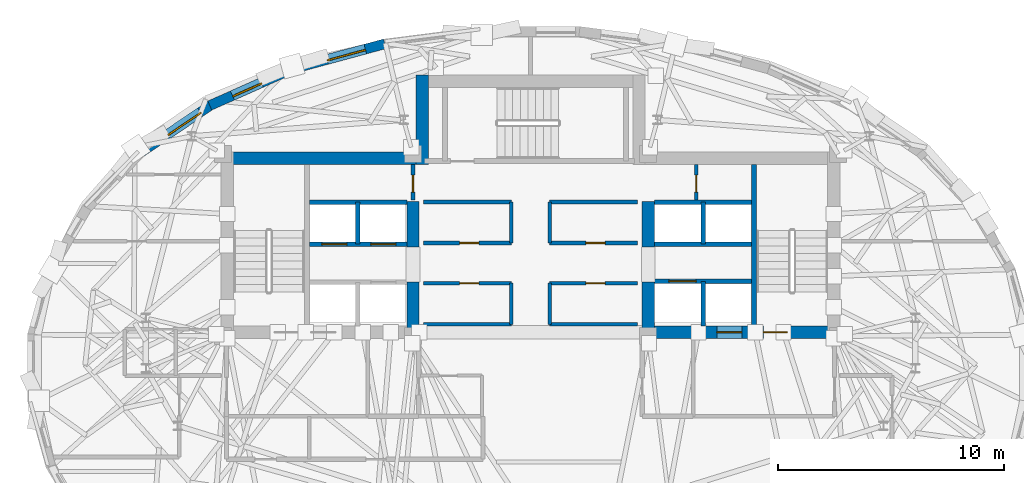
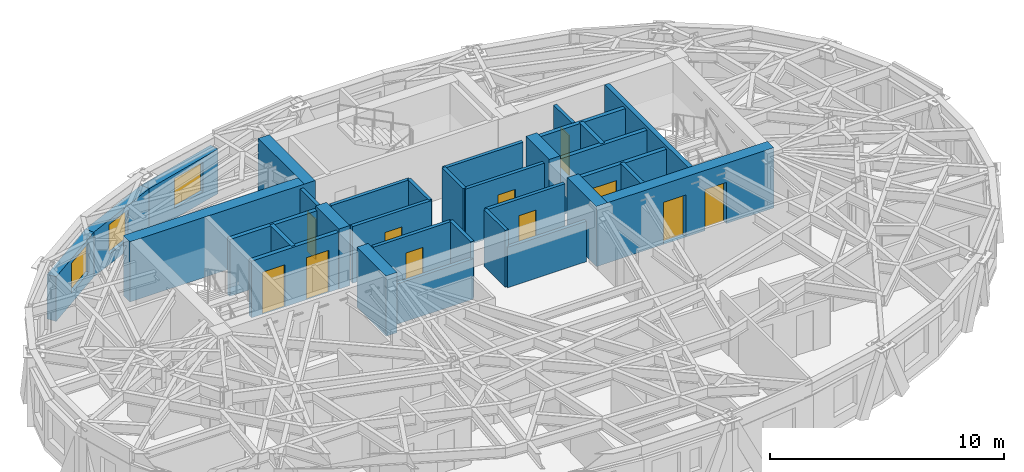
# One storey, part 8 of 13: 33 walls, 11 doors, 3 windows, 14 openings.
"""IFC4 building model written with IfcOpenShell, lengths in metres."""

import ifcopenshell
import ifcopenshell.guid

model = None  # the IFC model being written
_history = None  # IfcOwnerHistory: only IFC2X3 demands one
_inside = {}  # id of a spatial element -> (the spatial element, [elements in it])
_under = {}  # id of a project, library or spatial element -> (it, [spatial elements below it])
_declared = {}  # id of a project -> (the project, [libraries it declares])
_typed = {}  # id of a type object -> (the type object, [elements of that type])
_made_of = {}  # id of a material, layer set ... -> (it, [elements and type objects made of it])


def new_model(schema):
    """Start an empty IFC model of exactly this schema.

    Asked for "IFC4X3", IfcOpenShell would pick the latest addendum, in which some entities
    have other attributes; the version numbers below select the first issue.
    IFC2X3 requires an IfcOwnerHistory on every rooted entity: one is made here for all.
    """
    global model, _history
    if schema == "IFC4X3":
        model = ifcopenshell.file(schema_version=(4, 3, 0, 0))
    else:
        model = ifcopenshell.file(schema=schema)
    _inside.clear()
    _under.clear()
    _declared.clear()
    _typed.clear()
    _made_of.clear()
    _history = None
    if model.schema == "IFC2X3":
        org = make("IfcOrganization", Name="unknown")
        user = make(
            "IfcPersonAndOrganization",
            ThePerson=make("IfcPerson", FamilyName="unknown"),
            TheOrganization=org,
        )
        app = make(
            "IfcApplication",
            ApplicationDeveloper=org,
            Version="unknown",
            ApplicationFullName="unknown",
            ApplicationIdentifier="unknown",
        )
        _history = make(
            "IfcOwnerHistory",
            OwningUser=user,
            OwningApplication=app,
            ChangeAction="ADDED",
            CreationDate=0,
        )
    return model


def make(cls, **values):
    """One entity of the class cls with the attributes given. An attribute that is None is left unset."""
    return model.create_entity(
        cls, **{name: value for name, value in values.items() if value is not None}
    )


def rooted(cls, **values):
    """An entity with a GlobalId (a new one), such as an element, a storey or a relation."""
    return make(cls, GlobalId=ifcopenshell.guid.new(), OwnerHistory=_history, **values)


def si_unit(unit_type, name, prefix=None):
    """IfcSIUnit, for example si_unit("LENGTHUNIT", "METRE", prefix="MILLI")."""
    return make("IfcSIUnit", UnitType=unit_type, Prefix=prefix, Name=name)


def assignment(units):
    """IfcUnitAssignment: the units of a project."""
    return None if units is None else make("IfcUnitAssignment", Units=units)


def point(xyz):
    """IfcCartesianPoint."""
    return None if xyz is None else make("IfcCartesianPoint", Coordinates=xyz)


def direction(xyz):
    """IfcDirection."""
    return None if xyz is None else make("IfcDirection", DirectionRatios=xyz)


def frame(location, z_axis=None, x_axis=None):
    """IfcAxis2Placement3D, a coordinate frame: its origin and axes. An axis left out is left unset."""
    return make(
        "IfcAxis2Placement3D",
        Location=point(location),
        Axis=direction(z_axis),
        RefDirection=direction(x_axis),
    )


def frame_2d(location, x_axis=None):
    """IfcAxis2Placement2D, a coordinate frame in the plane: its origin and x axis."""
    return make(
        "IfcAxis2Placement2D", Location=point(location), RefDirection=direction(x_axis)
    )


def origin():
    """The frame at (0, 0, 0) with its axes left unset."""
    return frame((0.0, 0.0, 0.0))


def place(relative_to, where):
    """IfcLocalPlacement: puts the frame where relative to a parent placement (None: the world)."""
    return make(
        "IfcLocalPlacement", PlacementRelTo=relative_to, RelativePlacement=where
    )


def context(
    kind, dimensions, precision=None, world=None, true_north=None, identifier=None
):
    """IfcGeometricRepresentationContext, for example the 3D "Model" context."""
    return make(
        "IfcGeometricRepresentationContext",
        ContextIdentifier=identifier,
        ContextType=kind,
        CoordinateSpaceDimension=dimensions,
        Precision=precision,
        WorldCoordinateSystem=world,
        TrueNorth=true_north,
    )


def subcontext(parent, identifier, kind, view, scale=None):
    """IfcGeometricRepresentationSubContext, for example "Body" below "Model"."""
    return make(
        "IfcGeometricRepresentationSubContext",
        ContextIdentifier=identifier,
        ContextType=kind,
        ParentContext=parent,
        TargetScale=scale,
        TargetView=view,
    )


def project(units=None, contexts=None):
    """IfcProject with its units and contexts."""
    return rooted(
        "IfcProject",
        Name="project",
        RepresentationContexts=contexts,
        UnitsInContext=assignment(units),
    )


def spatial(cls, under=None, at=None, **own):
    """A site, building, storey or space (cls), placed at a placement, below another one or the project."""
    s = rooted(cls, ObjectPlacement=at, **own)
    if under is not None:
        _under.setdefault(under.id(), (under, []))[1].append(s)
    return s


def profile(cls, at=None, kind="AREA", **sizes):
    """A parametric profile (cls). Its sizes go by their IFC names, for example OverallWidth=200.0."""
    return make(cls, ProfileType=kind, Position=at, **sizes)


def rectangle(**sizes):
    """IfcRectangleProfileDef."""
    return profile("IfcRectangleProfileDef", **sizes)


def extrude(swept, where, along, depth):
    """IfcExtrudedAreaSolid: the profile swept, set in the frame where, extruded along a direction by depth."""
    return make(
        "IfcExtrudedAreaSolid",
        SweptArea=swept,
        Position=where,
        ExtrudedDirection=direction(along),
        Depth=depth,
    )


def shape(context_of_items, identifier, shape_type, items):
    """IfcShapeRepresentation: the items that make up one representation, for example the "Body"."""
    return make(
        "IfcShapeRepresentation",
        ContextOfItems=context_of_items,
        RepresentationIdentifier=identifier,
        RepresentationType=shape_type,
        Items=items,
    )


def material(Name=None, Category=None):
    """IfcMaterial."""
    return make("IfcMaterial", Name=Name, Category=Category)


def layer(
    of_material, thickness, ventilated=None, Name=None, Category=None, Priority=None
):
    """IfcMaterialLayer: one layer of a wall or slab, of a material (None: an air gap)."""
    return make(
        "IfcMaterialLayer",
        Material=of_material,
        LayerThickness=thickness,
        IsVentilated=ventilated,
        Name=Name,
        Category=Category,
        Priority=Priority,
    )


def layer_set(layers, Name=None):
    """IfcMaterialLayerSet."""
    return make("IfcMaterialLayerSet", MaterialLayers=layers, LayerSetName=Name)


def made_of(thing, what):
    """Note that an element or type object is made of a material, layer set ...; save() writes the relation."""
    if what is not None:
        _made_of.setdefault(what.id(), (what, []))[1].append(thing)
    return thing


def type_object(cls, material=None, **own):
    """A type object (cls), such as IfcWallType, which elements share."""
    return made_of(rooted(cls, **own), material)


def element(
    cls,
    number,
    at=None,
    inside=None,
    cuts=None,
    type_object=None,
    material=None,
    context=None,
    identifier="Body",
    shape_type=None,
    held_by="IfcProductDefinitionShape",
    body=None,
    shapes=None,
    **own,
):
    """One element of the class cls, such as IfcWall. Its Tag is "e" and its number.

    at: its placement. inside: the storey or other place that contains it. cuts: it is an
    opening in that element (IfcRelVoidsElement). A single representation is given by context,
    identifier, shape_type and body (its items); several are given by shapes. held_by: the class
    of the entity that holds the representations. save() writes the other relations.
    """
    e = rooted(cls, Tag="e%d" % number, ObjectPlacement=at, **own)
    if body is not None:
        shapes = [shape(context, identifier, shape_type, body)]
    if shapes is not None:
        e.Representation = make(held_by, Representations=shapes)
    if inside is not None:
        _inside.setdefault(inside.id(), (inside, []))[1].append(e)
    if cuts is not None:
        rooted(
            "IfcRelVoidsElement", RelatingBuildingElement=cuts, RelatedOpeningElement=e
        )
    if type_object is not None:
        _typed.setdefault(type_object.id(), (type_object, []))[1].append(e)
    return made_of(e, material)


def fill(opening, filler):
    """IfcRelFillsElement: the door or window that sits in an opening."""
    return rooted(
        "IfcRelFillsElement",
        RelatingOpeningElement=opening,
        RelatedBuildingElement=filler,
    )


def aggregate(whole, parts):
    """IfcRelAggregates: a whole, such as a stair, and the parts it consists of."""
    return rooted("IfcRelAggregates", RelatingObject=whole, RelatedObjects=parts)


def save(model, path):
    """Write the relations noted so far, then the file.

    IfcRelAggregates (storeys below a building ...), IfcRelContainedInSpatialStructure (elements
    in a storey), IfcRelDefinesByType, IfcRelAssociatesMaterial and IfcRelDeclares: one each for
    every whole, place, type object, material and project.
    """
    for whole, parts in _under.values():
        aggregate(whole, parts)
    for where, things in _inside.values():
        rooted(
            "IfcRelContainedInSpatialStructure",
            RelatedElements=things,
            RelatingStructure=where,
        )
    for kind, things in _typed.values():
        rooted("IfcRelDefinesByType", RelatedObjects=things, RelatingType=kind)
    for what, things in _made_of.values():
        rooted("IfcRelAssociatesMaterial", RelatedObjects=things, RelatingMaterial=what)
    for by, libraries in _declared.values():
        rooted("IfcRelDeclares", RelatingContext=by, RelatedDefinitions=libraries)
    model.write(path)


model = new_model("IFC4")

# Units and contexts
model_context = context("Model", 3, precision=1e-05, world=origin(), true_north=direction((0.0, 1.0)))
body_context = subcontext(model_context, "Body", "Model", "MODEL_VIEW")
ifc_project = project(units=[si_unit("LENGTHUNIT", "METRE"), si_unit("AREAUNIT", "SQUARE_METRE"), si_unit("VOLUMEUNIT", "CUBIC_METRE"), si_unit("PLANEANGLEUNIT", "RADIAN"), si_unit("MASSUNIT", "GRAM", prefix="KILO")], contexts=[model_context])

# Site, building, storey
site_placement = place(None, origin())
site = spatial("IfcSite", under=ifc_project, at=site_placement, CompositionType="ELEMENT")
building_placement = place(site_placement, origin())
building = spatial("IfcBuilding", under=site, at=building_placement, Name="Keldmark Tower", CompositionType="ELEMENT")
storey_placement = place(building_placement, frame((0.0, 0.0, 232.050048828125)))
storey = spatial("IfcBuildingStorey", under=building, at=storey_placement, Name="L65", CompositionType="ELEMENT", Elevation=232.050048828125)

# Walls
ifc_material_1 = material(Name="Concrete C50/60", Category="concrete")
ifc_layer_1 = layer(ifc_material_1, 0.550048828125)
ifc_layer_set_1 = layer_set([ifc_layer_1], Name="Concrete C50/60")
wall_type_1 = type_object("IfcWallType", Name="High-Rise Core Shear Wall 550 mm", PredefinedType="SHEAR", material=ifc_layer_set_1)
wall_1_placement = place(storey_placement, frame((-13.699951171875, 9.27490234375, 0.0), z_axis=(0.0, 0.0, 1.0), x_axis=(1.0, 0.0, 0.0)))
element("IfcWall", 1, at=wall_1_placement, inside=storey, type_object=wall_type_1, Name="L65 West Core North Shear Wall", PredefinedType="SHEAR", context=body_context, shape_type="SweptSolid", body=[
    extrude(rectangle(XDim=9.175048828125, YDim=0.550048828125, at=frame_2d((4.58740234375, 0.0))), origin(), (0.0, 0.0, 1.0), 3.14990234375),
])
wall_2_placement = place(storey_placement, frame((-5.199951171875, 1.300048828125, 0.0), z_axis=(0.0, 0.0, 1.0), x_axis=(0.0, 1.0, 0.0)))
element("IfcWall", 2, at=wall_2_placement, inside=storey, type_object=wall_type_1, Name="L65 West Core Inner Shear Pier South", PredefinedType="SHEAR", context=body_context, shape_type="SweptSolid", body=[
    extrude(rectangle(XDim=2.5, YDim=0.550048828125, at=frame_2d((1.25, 0.0))), origin(), (0.0, 0.0, 1.0), 3.14990234375),
])
wall_3_placement = place(storey_placement, frame((-5.199951171875, 5.35009765625, 0.0), z_axis=(0.0, 0.0, 1.0), x_axis=(0.0, 1.0, 0.0)))
element("IfcWall", 3, at=wall_3_placement, inside=storey, type_object=wall_type_1, Name="L65 West Core Inner Shear Pier North", PredefinedType="SHEAR", context=body_context, shape_type="SweptSolid", body=[
    extrude(rectangle(XDim=2.0, YDim=0.550048828125, at=frame_2d((1.0, 0.0))), origin(), (0.0, 0.0, 1.0), 3.14990234375),
])

# Wall, openings, doors
wall_4_placement = place(storey_placement, frame((13.699951171875, 1.574951171875, 0.0), z_axis=(0.0, 0.0, 1.0), x_axis=(-1.0, 0.0, 0.0)))
wall_4 = element("IfcWall", 4, at=wall_4_placement, inside=storey, type_object=wall_type_1, Name="L65 East Core South Shear Wall", PredefinedType="SHEAR", context=body_context, shape_type="SweptSolid", body=[
    extrude(rectangle(XDim=8.77490234375, YDim=0.550048828125, at=frame_2d((4.387451171875, 0.0))), origin(), (0.0, 0.0, 1.0), 3.14990234375),
])
opening_1_placement = place(wall_4_placement, frame((2.35009765625, 0.0, 0.0)))
opening_1 = element("IfcOpeningElement", 5, at=opening_1_placement, cuts=wall_4, Name="Opening D-ST105", PredefinedType="OPENING", context=body_context, shape_type="SweptSolid", body=[
    extrude(rectangle(XDim=1.050048828125, YDim=2.14990234375, at=frame_2d((0.52490234375, 1.074951171875))), frame((0.0, 0.284912109375, 0.0), z_axis=(0.0, -1.0, 0.0), x_axis=(1.0, 0.0, 0.0)), (0.0, 0.0, 1.0), 0.570068359375),
])
opening_2_placement = place(wall_4_placement, frame((4.35009765625, 0.0, 0.0)))
opening_2 = element("IfcOpeningElement", 6, at=opening_2_placement, cuts=wall_4, Name="Opening LD-110", PredefinedType="OPENING", context=body_context, shape_type="SweptSolid", body=[
    extrude(rectangle(XDim=1.10009765625, YDim=2.199951171875, at=frame_2d((0.550048828125, 1.10009765625))), frame((0.0, 0.284912109375, 0.0), z_axis=(0.0, -1.0, 0.0), x_axis=(1.0, 0.0, 0.0)), (0.0, 0.0, 1.0), 0.570068359375),
])
ifc_material_2 = material(Name="Brushed Bronze Hoistway Sliding Leaf", Category="metal")
door_type_1 = type_object("IfcDoorType", Name="Lift Landing Sliding Door 1100x2200", OperationType="SLIDING_TO_LEFT", PredefinedType="DOOR", material=ifc_material_2)
door_1_placement = place(opening_2_placement, origin())
door_1 = element("IfcDoor", 7, at=door_1_placement, inside=storey, type_object=door_type_1, Name="L65 Lift Landing Sliding Door 1100x2200 LD-EL-FS2-L65", OperationType="SLIDING_TO_LEFT", OverallHeight=2.199951171875, OverallWidth=1.10009765625, PredefinedType="DOOR", context=body_context, shape_type="SweptSolid", body=[
    extrude(rectangle(XDim=1.10009765625, YDim=2.199951171875, at=frame_2d((0.550048828125, 1.10009765625))), frame((0.0, 0.02490234375, 0.0), z_axis=(0.0, -1.0, 0.0), x_axis=(1.0, 0.0, 0.0)), (0.0, 0.0, 1.0), 0.050048828125),
])
fill(opening_2, door_1)
ifc_material_3 = material(Name="Hollow Metal Fire-Rated Door Assembly", Category="metal")
door_type_2 = type_object("IfcDoorType", Name="Stair Fire Door 1050x2150", OperationType="NOTDEFINED", PredefinedType="DOOR", material=ifc_material_3)
door_2_placement = place(opening_1_placement, origin())
door_2 = element("IfcDoor", 8, at=door_2_placement, inside=storey, type_object=door_type_2, Name="L65 Stair Fire Door 1050x2150 D-ST2-L65", OperationType="SINGLE_SWING_LEFT", OverallHeight=2.14990234375, OverallWidth=1.050048828125, PredefinedType="DOOR", context=body_context, shape_type="SweptSolid", body=[
    extrude(rectangle(XDim=1.050048828125, YDim=2.14990234375, at=frame_2d((0.52490234375, 1.074951171875))), frame((0.0, 0.02490234375, 0.0), z_axis=(0.0, -1.0, 0.0), x_axis=(1.0, 0.0, 0.0)), (0.0, 0.0, 1.0), 0.050048828125),
])
fill(opening_1, door_2)

# Walls
wall_5_placement = place(storey_placement, frame((5.199951171875, 1.300048828125, 0.0), z_axis=(0.0, 0.0, 1.0), x_axis=(0.0, 1.0, 0.0)))
element("IfcWall", 9, at=wall_5_placement, inside=storey, type_object=wall_type_1, Name="L65 East Core Inner Shear Pier South", PredefinedType="SHEAR", context=body_context, shape_type="SweptSolid", body=[
    extrude(rectangle(XDim=2.5, YDim=0.550048828125, at=frame_2d((1.25, 0.0))), origin(), (0.0, 0.0, 1.0), 3.14990234375),
])
wall_6_placement = place(storey_placement, frame((5.199951171875, 5.35009765625, 0.0), z_axis=(0.0, 0.0, 1.0), x_axis=(0.0, 1.0, 0.0)))
element("IfcWall", 10, at=wall_6_placement, inside=storey, type_object=wall_type_1, Name="L65 East Core Inner Shear Pier North", PredefinedType="SHEAR", context=body_context, shape_type="SweptSolid", body=[
    extrude(rectangle(XDim=2.0, YDim=0.550048828125, at=frame_2d((1.0, 0.0))), origin(), (0.0, 0.0, 1.0), 3.14990234375),
])
wall_7_placement = place(storey_placement, frame((-4.800048828125, 9.0, 0.0), z_axis=(0.0, 0.0, 1.0), x_axis=(0.0, 1.0, 0.0)))
element("IfcWall", 11, at=wall_7_placement, inside=storey, type_object=wall_type_1, Name="L65 North Core West Shear Wall", PredefinedType="SHEAR", context=body_context, shape_type="SweptSolid", body=[
    extrude(rectangle(XDim=3.949951171875, YDim=0.550048828125, at=frame_2d((1.97509765625, 0.0))), origin(), (0.0, 0.0, 1.0), 3.14990234375),
])
ifc_material_4 = material(Name="Type X Fire-Rated Gypsum Partition Assembly", Category="gypsum")
ifc_layer_2 = layer(ifc_material_4, 0.1650390625)
ifc_layer_set_2 = layer_set([ifc_layer_2], Name="Type X Fire-Rated Gypsum Partition Assembly")
wall_type_2 = type_object("IfcWallType", Name="Rated Partition 165 mm", PredefinedType="PARTITIONING", material=ifc_layer_set_2)
wall_8_placement = place(storey_placement, frame((-4.739990234375, 1.919921875, 0.0), z_axis=(0.0, 0.0, 1.0), x_axis=(1.0, 0.0, 0.0)))
element("IfcWall", 12, at=wall_8_placement, inside=storey, type_object=wall_type_2, Name="L65 Rated Partition 165 mm REC-LW-S", PredefinedType="PARTITIONING", context=body_context, shape_type="SweptSolid", body=[
    extrude(rectangle(XDim=3.889892578125, YDim=0.1650390625, at=frame_2d((1.94482421875, 0.0))), origin(), (0.0, 0.0, 1.0), 2.10986328125),
])

# Wall, opening, door
wall_9_placement = place(storey_placement, frame((-4.739990234375, 3.739990234375, 0.0), z_axis=(0.0, 0.0, 1.0), x_axis=(1.0, 0.0, 0.0)))
wall_9 = element("IfcWall", 13, at=wall_9_placement, inside=storey, type_object=wall_type_2, Name="L65 Rated Partition 165 mm REC-LW-N", PredefinedType="PARTITIONING", context=body_context, shape_type="SweptSolid", body=[
    extrude(rectangle(XDim=3.889892578125, YDim=0.1650390625, at=frame_2d((1.94482421875, 0.0))), origin(), (0.0, 0.0, 1.0), 2.969970703125),
])
opening_3_placement = place(wall_9_placement, frame((1.60009765625, 0.0, 0.0)))
opening_3 = element("IfcOpeningElement", 14, at=opening_3_placement, cuts=wall_9, Name="Opening D-SV085", PredefinedType="OPENING", context=body_context, shape_type="SweptSolid", body=[
    extrude(rectangle(XDim=0.85009765625, YDim=2.10009765625, at=frame_2d((0.425048828125, 1.050048828125))), frame((0.0, 0.092529296875, 0.0), z_axis=(0.0, -1.0, 0.0), x_axis=(1.0, 0.0, 0.0)), (0.0, 0.0, 1.0), 0.18505859375),
])
ifc_material_5 = material(Name="Painted Hollow Metal Door Assembly", Category="metal")
door_type_3 = type_object("IfcDoorType", Name="Service Door 850x2100", OperationType="NOTDEFINED", PredefinedType="DOOR", material=ifc_material_5)
door_3_placement = place(opening_3_placement, origin())
door_3 = element("IfcDoor", 15, at=door_3_placement, inside=storey, type_object=door_type_3, Name="L65 Service Door 850x2100 D-RECLW1-L65", OperationType="SINGLE_SWING_RIGHT", OverallHeight=2.10009765625, OverallWidth=0.85009765625, PredefinedType="DOOR", context=body_context, shape_type="SweptSolid", body=[
    extrude(rectangle(XDim=0.85009765625, YDim=2.10009765625, at=frame_2d((0.425048828125, 1.050048828125))), frame((0.0, 0.02490234375, 0.0), z_axis=(0.0, -1.0, 0.0), x_axis=(1.0, 0.0, 0.0)), (0.0, 0.0, 1.0), 0.050048828125),
])
fill(opening_3, door_3)

# Walls
wall_10_placement = place(storey_placement, frame((-0.85009765625, 1.919921875, 0.0), z_axis=(0.0, 0.0, 1.0), x_axis=(0.0, 1.0, 0.0)))
element("IfcWall", 16, at=wall_10_placement, inside=storey, type_object=wall_type_2, Name="L65 Rated Partition 165 mm REC-LW-E", PredefinedType="PARTITIONING", context=body_context, shape_type="SweptSolid", body=[
    extrude(rectangle(XDim=1.820068359375, YDim=0.1650390625, at=frame_2d((0.91015625, 0.0))), origin(), (0.0, 0.0, 1.0), 2.969970703125),
])
wall_11_placement = place(storey_placement, frame((0.85009765625, 1.919921875, 0.0), z_axis=(0.0, 0.0, 1.0), x_axis=(1.0, 0.0, 0.0)))
element("IfcWall", 17, at=wall_11_placement, inside=storey, type_object=wall_type_2, Name="L65 Rated Partition 165 mm REC-LE-S", PredefinedType="PARTITIONING", context=body_context, shape_type="SweptSolid", body=[
    extrude(rectangle(XDim=3.889892578125, YDim=0.1650390625, at=frame_2d((1.94482421875, 0.0))), origin(), (0.0, 0.0, 1.0), 2.10986328125),
])

# Wall, opening, door
wall_12_placement = place(storey_placement, frame((0.85009765625, 3.739990234375, 0.0), z_axis=(0.0, 0.0, 1.0), x_axis=(1.0, 0.0, 0.0)))
wall_12 = element("IfcWall", 18, at=wall_12_placement, inside=storey, type_object=wall_type_2, Name="L65 Rated Partition 165 mm REC-LE-N", PredefinedType="PARTITIONING", context=body_context, shape_type="SweptSolid", body=[
    extrude(rectangle(XDim=3.889892578125, YDim=0.1650390625, at=frame_2d((1.94482421875, 0.0))), origin(), (0.0, 0.0, 1.0), 2.969970703125),
])
opening_4_placement = place(wall_12_placement, frame((1.60009765625, 0.0, 0.0)))
opening_4 = element("IfcOpeningElement", 19, at=opening_4_placement, cuts=wall_12, Name="Opening D-SV085", PredefinedType="OPENING", context=body_context, shape_type="SweptSolid", body=[
    extrude(rectangle(XDim=0.85009765625, YDim=2.10009765625, at=frame_2d((0.425048828125, 1.050048828125))), frame((0.0, 0.092529296875, 0.0), z_axis=(0.0, -1.0, 0.0), x_axis=(1.0, 0.0, 0.0)), (0.0, 0.0, 1.0), 0.18505859375),
])
door_4_placement = place(opening_4_placement, origin())
door_4 = element("IfcDoor", 20, at=door_4_placement, inside=storey, type_object=door_type_3, Name="L65 Service Door 850x2100 D-RECLE1-L65", OperationType="SINGLE_SWING_RIGHT", OverallHeight=2.10009765625, OverallWidth=0.85009765625, PredefinedType="DOOR", context=body_context, shape_type="SweptSolid", body=[
    extrude(rectangle(XDim=0.85009765625, YDim=2.10009765625, at=frame_2d((0.425048828125, 1.050048828125))), frame((0.0, 0.02490234375, 0.0), z_axis=(0.0, -1.0, 0.0), x_axis=(1.0, 0.0, 0.0)), (0.0, 0.0, 1.0), 0.050048828125),
])
fill(opening_4, door_4)

# Wall
wall_13_placement = place(storey_placement, frame((0.85009765625, 1.919921875, 0.0), z_axis=(0.0, 0.0, 1.0), x_axis=(0.0, 1.0, 0.0)))
element("IfcWall", 21, at=wall_13_placement, inside=storey, type_object=wall_type_2, Name="L65 Rated Partition 165 mm REC-LE-W", PredefinedType="PARTITIONING", context=body_context, shape_type="SweptSolid", body=[
    extrude(rectangle(XDim=1.820068359375, YDim=0.1650390625, at=frame_2d((0.91015625, 0.0))), origin(), (0.0, 0.0, 1.0), 2.969970703125),
])

# Wall, opening, door
wall_14_placement = place(storey_placement, frame((-4.739990234375, 5.52001953125, 0.0), z_axis=(0.0, 0.0, 1.0), x_axis=(1.0, 0.0, 0.0)))
wall_14 = element("IfcWall", 22, at=wall_14_placement, inside=storey, type_object=wall_type_2, Name="L65 Rated Partition 165 mm REC-MW-S", PredefinedType="PARTITIONING", context=body_context, shape_type="SweptSolid", body=[
    extrude(rectangle(XDim=3.889892578125, YDim=0.1650390625, at=frame_2d((1.94482421875, 0.0))), origin(), (0.0, 0.0, 1.0), 2.969970703125),
])
opening_5_placement = place(wall_14_placement, frame((1.60009765625, 0.0, 0.0)))
opening_5 = element("IfcOpeningElement", 23, at=opening_5_placement, cuts=wall_14, Name="Opening D-SV085", PredefinedType="OPENING", context=body_context, shape_type="SweptSolid", body=[
    extrude(rectangle(XDim=0.85009765625, YDim=2.10009765625, at=frame_2d((0.425048828125, 1.050048828125))), frame((0.0, 0.092529296875, 0.0), z_axis=(0.0, -1.0, 0.0), x_axis=(1.0, 0.0, 0.0)), (0.0, 0.0, 1.0), 0.18505859375),
])
door_5_placement = place(opening_5_placement, origin())
door_5 = element("IfcDoor", 24, at=door_5_placement, inside=storey, type_object=door_type_3, Name="L65 Service Door 850x2100 D-RECMW1-L65", OperationType="SINGLE_SWING_LEFT", OverallHeight=2.10009765625, OverallWidth=0.85009765625, PredefinedType="DOOR", context=body_context, shape_type="SweptSolid", body=[
    extrude(rectangle(XDim=0.85009765625, YDim=2.10009765625, at=frame_2d((0.425048828125, 1.050048828125))), frame((0.0, 0.02490234375, 0.0), z_axis=(0.0, -1.0, 0.0), x_axis=(1.0, 0.0, 0.0)), (0.0, 0.0, 1.0), 0.050048828125),
])
fill(opening_5, door_5)

# Walls
wall_15_placement = place(storey_placement, frame((-4.739990234375, 7.330078125, 0.0), z_axis=(0.0, 0.0, 1.0), x_axis=(1.0, 0.0, 0.0)))
element("IfcWall", 25, at=wall_15_placement, inside=storey, type_object=wall_type_2, Name="L65 Rated Partition 165 mm REC-MW-N", PredefinedType="PARTITIONING", context=body_context, shape_type="SweptSolid", body=[
    extrude(rectangle(XDim=3.889892578125, YDim=0.1650390625, at=frame_2d((1.94482421875, 0.0))), origin(), (0.0, 0.0, 1.0), 2.969970703125),
])
wall_16_placement = place(storey_placement, frame((-0.85009765625, 5.52001953125, 0.0), z_axis=(0.0, 0.0, 1.0), x_axis=(0.0, 1.0, 0.0)))
element("IfcWall", 26, at=wall_16_placement, inside=storey, type_object=wall_type_2, Name="L65 Rated Partition 165 mm REC-MW-E", PredefinedType="PARTITIONING", context=body_context, shape_type="SweptSolid", body=[
    extrude(rectangle(XDim=1.81005859375, YDim=0.1650390625, at=frame_2d((0.905029296875, 0.0))), origin(), (0.0, 0.0, 1.0), 2.969970703125),
])

# Wall, opening, door
wall_17_placement = place(storey_placement, frame((0.85009765625, 5.52001953125, 0.0), z_axis=(0.0, 0.0, 1.0), x_axis=(1.0, 0.0, 0.0)))
wall_17 = element("IfcWall", 27, at=wall_17_placement, inside=storey, type_object=wall_type_2, Name="L65 Rated Partition 165 mm REC-ME-S", PredefinedType="PARTITIONING", context=body_context, shape_type="SweptSolid", body=[
    extrude(rectangle(XDim=3.889892578125, YDim=0.1650390625, at=frame_2d((1.94482421875, 0.0))), origin(), (0.0, 0.0, 1.0), 2.969970703125),
])
opening_6_placement = place(wall_17_placement, frame((1.60009765625, 0.0, 0.0)))
opening_6 = element("IfcOpeningElement", 28, at=opening_6_placement, cuts=wall_17, Name="Opening D-SV085", PredefinedType="OPENING", context=body_context, shape_type="SweptSolid", body=[
    extrude(rectangle(XDim=0.85009765625, YDim=2.10009765625, at=frame_2d((0.425048828125, 1.050048828125))), frame((0.0, 0.092529296875, 0.0), z_axis=(0.0, -1.0, 0.0), x_axis=(1.0, 0.0, 0.0)), (0.0, 0.0, 1.0), 0.18505859375),
])
door_6_placement = place(opening_6_placement, origin())
door_6 = element("IfcDoor", 29, at=door_6_placement, inside=storey, type_object=door_type_3, Name="L65 Service Door 850x2100 D-RECME1-L65", OperationType="SINGLE_SWING_RIGHT", OverallHeight=2.10009765625, OverallWidth=0.85009765625, PredefinedType="DOOR", context=body_context, shape_type="SweptSolid", body=[
    extrude(rectangle(XDim=0.85009765625, YDim=2.10009765625, at=frame_2d((0.425048828125, 1.050048828125))), frame((0.0, 0.02490234375, 0.0), z_axis=(0.0, -1.0, 0.0), x_axis=(1.0, 0.0, 0.0)), (0.0, 0.0, 1.0), 0.050048828125),
])
fill(opening_6, door_6)

# Walls
wall_18_placement = place(storey_placement, frame((0.85009765625, 7.330078125, 0.0), z_axis=(0.0, 0.0, 1.0), x_axis=(1.0, 0.0, 0.0)))
element("IfcWall", 30, at=wall_18_placement, inside=storey, type_object=wall_type_2, Name="L65 Rated Partition 165 mm REC-ME-N", PredefinedType="PARTITIONING", context=body_context, shape_type="SweptSolid", body=[
    extrude(rectangle(XDim=3.889892578125, YDim=0.1650390625, at=frame_2d((1.94482421875, 0.0))), origin(), (0.0, 0.0, 1.0), 2.969970703125),
])
wall_19_placement = place(storey_placement, frame((0.85009765625, 5.52001953125, 0.0), z_axis=(0.0, 0.0, 1.0), x_axis=(0.0, 1.0, 0.0)))
element("IfcWall", 31, at=wall_19_placement, inside=storey, type_object=wall_type_2, Name="L65 Rated Partition 165 mm REC-ME-W", PredefinedType="PARTITIONING", context=body_context, shape_type="SweptSolid", body=[
    extrude(rectangle(XDim=1.81005859375, YDim=0.1650390625, at=frame_2d((0.905029296875, 0.0))), origin(), (0.0, 0.0, 1.0), 2.969970703125),
])

# Wall, opening, door
wall_20_placement = place(storey_placement, frame((-5.199951171875, 7.419921875, 0.0), z_axis=(0.0, 0.0, 1.0), x_axis=(0.0, 1.0, 0.0)))
wall_20 = element("IfcWall", 32, at=wall_20_placement, inside=storey, type_object=wall_type_2, Name="L65 Rated Partition 165 mm CS-NW-E", PredefinedType="PARTITIONING", context=body_context, shape_type="SweptSolid", body=[
    extrude(rectangle(XDim=1.580078125, YDim=0.1650390625, at=frame_2d((0.7900390625, 0.0))), origin(), (0.0, 0.0, 1.0), 2.969970703125),
])
opening_7_placement = place(wall_20_placement, frame((0.35009765625, 0.0, 0.0)))
opening_7 = element("IfcOpeningElement", 33, at=opening_7_placement, cuts=wall_20, Name="Opening D-RS075", PredefinedType="OPENING", context=body_context, shape_type="SweptSolid", body=[
    extrude(rectangle(XDim=0.75, YDim=2.10009765625, at=frame_2d((0.375, 1.050048828125))), frame((0.0, 0.092529296875, 0.0), z_axis=(0.0, -1.0, 0.0), x_axis=(1.0, 0.0, 0.0)), (0.0, 0.0, 1.0), 0.18505859375),
])
ifc_material_6 = material(Name="Galvanized Fire-Rated Access Leaf", Category="metal")
door_type_4 = type_object("IfcDoorType", Name="Riser Access Door 750x2100", OperationType="NOTDEFINED", PredefinedType="DOOR", material=ifc_material_6)
door_7_placement = place(opening_7_placement, origin())
door_7 = element("IfcDoor", 34, at=door_7_placement, inside=storey, type_object=door_type_4, Name="L65 Riser Access Door 750x2100 D-CSNW1-L65", OperationType="SINGLE_SWING_LEFT", OverallHeight=2.10009765625, OverallWidth=0.75, PredefinedType="DOOR", context=body_context, shape_type="SweptSolid", body=[
    extrude(rectangle(XDim=0.75, YDim=2.10009765625, at=frame_2d((0.375, 1.050048828125))), frame((0.0, 0.02490234375, 0.0), z_axis=(0.0, -1.0, 0.0), x_axis=(1.0, 0.0, 0.0)), (0.0, 0.0, 1.0), 0.050048828125),
])
fill(opening_7, door_7)

wall_21_placement = place(storey_placement, frame((7.330078125, 7.419921875, 0.0), z_axis=(0.0, 0.0, 1.0), x_axis=(0.0, 1.0, 0.0)))
wall_21 = element("IfcWall", 35, at=wall_21_placement, inside=storey, type_object=wall_type_2, Name="L65 Rated Partition 165 mm CS-NE-W", PredefinedType="PARTITIONING", context=body_context, shape_type="SweptSolid", body=[
    extrude(rectangle(XDim=1.580078125, YDim=0.1650390625, at=frame_2d((0.7900390625, 0.0))), origin(), (0.0, 0.0, 1.0), 2.969970703125),
])
opening_8_placement = place(wall_21_placement, frame((0.35009765625, 0.0, 0.0)))
opening_8 = element("IfcOpeningElement", 36, at=opening_8_placement, cuts=wall_21, Name="Opening D-RS075", PredefinedType="OPENING", context=body_context, shape_type="SweptSolid", body=[
    extrude(rectangle(XDim=0.75, YDim=2.10009765625, at=frame_2d((0.375, 1.050048828125))), frame((0.0, 0.092529296875, 0.0), z_axis=(0.0, -1.0, 0.0), x_axis=(1.0, 0.0, 0.0)), (0.0, 0.0, 1.0), 0.18505859375),
])
door_8_placement = place(opening_8_placement, origin())
door_8 = element("IfcDoor", 37, at=door_8_placement, inside=storey, type_object=door_type_4, Name="L65 Riser Access Door 750x2100 D-CSNE1-L65", OperationType="SINGLE_SWING_LEFT", OverallHeight=2.10009765625, OverallWidth=0.75, PredefinedType="DOOR", context=body_context, shape_type="SweptSolid", body=[
    extrude(rectangle(XDim=0.75, YDim=2.10009765625, at=frame_2d((0.375, 1.050048828125))), frame((0.0, 0.02490234375, 0.0), z_axis=(0.0, -1.0, 0.0), x_axis=(1.0, 0.0, 0.0)), (0.0, 0.0, 1.0), 0.050048828125),
])
fill(opening_8, door_8)

# Wall, openings, doors
ifc_material_7 = material(Name="Fire-Resistant Type X Gypsum Shaftliner Coreboard", Category="gypsum")
ifc_layer_3 = layer(ifc_material_7, 0.199951171875)
ifc_layer_set_3 = layer_set([ifc_layer_3], Name="Fire-Resistant Type X Gypsum Shaftliner Coreboard")
wall_type_3 = type_object("IfcWallType", Name="Shaft Wall 200 mm", PredefinedType="SOLIDWALL", material=ifc_layer_set_3)
wall_22_placement = place(storey_placement, frame((-9.780029296875, 5.469970703125, 0.0), z_axis=(0.0, 0.0, 1.0), x_axis=(1.0, 0.0, 0.0)))
wall_22 = element("IfcWall", 38, at=wall_22_placement, inside=storey, type_object=wall_type_3, Name="L65 Shaft Wall 200 mm HW-W-N", PredefinedType="SOLIDWALL", context=body_context, shape_type="SweptSolid", body=[
    extrude(rectangle(XDim=4.304931640625, YDim=0.199951171875, at=frame_2d((2.15234375, 0.0))), origin(), (0.0, 0.0, 1.0), 2.969970703125),
])
opening_9_placement = place(wall_22_placement, frame((0.550048828125, 0.0, 0.0)))
opening_9 = element("IfcOpeningElement", 39, at=opening_9_placement, cuts=wall_22, Name="Opening LD-110", PredefinedType="OPENING", context=body_context, shape_type="SweptSolid", body=[
    extrude(rectangle(XDim=1.10009765625, YDim=2.199951171875, at=frame_2d((0.550048828125, 1.10009765625))), frame((0.0, 0.10986328125, 0.0), z_axis=(0.0, -1.0, 0.0), x_axis=(1.0, 0.0, 0.0)), (0.0, 0.0, 1.0), 0.219970703125),
])
opening_10_placement = place(wall_22_placement, frame((2.719970703125, 0.0, 0.0)))
opening_10 = element("IfcOpeningElement", 40, at=opening_10_placement, cuts=wall_22, Name="Opening LD-110", PredefinedType="OPENING", context=body_context, shape_type="SweptSolid", body=[
    extrude(rectangle(XDim=1.10009765625, YDim=2.199951171875, at=frame_2d((0.550048828125, 1.10009765625))), frame((0.0, 0.10986328125, 0.0), z_axis=(0.0, -1.0, 0.0), x_axis=(1.0, 0.0, 0.0)), (0.0, 0.0, 1.0), 0.219970703125),
])
door_9_placement = place(opening_9_placement, origin())
door_9 = element("IfcDoor", 41, at=door_9_placement, inside=storey, type_object=door_type_1, Name="L65 Lift Landing Sliding Door 1100x2200 LD-EL-H1-L65", OperationType="SLIDING_TO_LEFT", OverallHeight=2.199951171875, OverallWidth=1.10009765625, PredefinedType="DOOR", context=body_context, shape_type="SweptSolid", body=[
    extrude(rectangle(XDim=1.10009765625, YDim=2.199951171875, at=frame_2d((0.550048828125, 1.10009765625))), frame((0.0, 0.02490234375, 0.0), z_axis=(0.0, -1.0, 0.0), x_axis=(1.0, 0.0, 0.0)), (0.0, 0.0, 1.0), 0.050048828125),
])
fill(opening_9, door_9)
door_10_placement = place(opening_10_placement, origin())
door_10 = element("IfcDoor", 42, at=door_10_placement, inside=storey, type_object=door_type_1, Name="L65 Lift Landing Sliding Door 1100x2200 LD-EL-H2-L65", OperationType="SLIDING_TO_LEFT", OverallHeight=2.199951171875, OverallWidth=1.10009765625, PredefinedType="DOOR", context=body_context, shape_type="SweptSolid", body=[
    extrude(rectangle(XDim=1.10009765625, YDim=2.199951171875, at=frame_2d((0.550048828125, 1.10009765625))), frame((0.0, 0.02490234375, 0.0), z_axis=(0.0, -1.0, 0.0), x_axis=(1.0, 0.0, 0.0)), (0.0, 0.0, 1.0), 0.050048828125),
])
fill(opening_10, door_10)

# Walls
wall_23_placement = place(storey_placement, frame((-9.780029296875, 7.330078125, 0.0), z_axis=(0.0, 0.0, 1.0), x_axis=(1.0, 0.0, 0.0)))
element("IfcWall", 43, at=wall_23_placement, inside=storey, type_object=wall_type_3, Name="L65 Shaft Wall 200 mm HW-W-TOP", PredefinedType="SOLIDWALL", context=body_context, shape_type="SweptSolid", body=[
    extrude(rectangle(XDim=4.304931640625, YDim=0.199951171875, at=frame_2d((2.15234375, 0.0))), origin(), (0.0, 0.0, 1.0), 2.969970703125),
])
wall_24_placement = place(storey_placement, frame((-7.64990234375, 5.469970703125, 0.0), z_axis=(0.0, 0.0, 1.0), x_axis=(0.0, 1.0, 0.0)))
element("IfcWall", 44, at=wall_24_placement, inside=storey, type_object=wall_type_3, Name="L65 Shaft Wall 200 mm HW-W-NM", PredefinedType="SOLIDWALL", context=body_context, shape_type="SweptSolid", body=[
    extrude(rectangle(XDim=1.860107421875, YDim=0.199951171875, at=frame_2d((0.93017578125, 0.0))), origin(), (0.0, 0.0, 1.0), 2.969970703125),
])

# Wall, opening, door
wall_25_placement = place(storey_placement, frame((5.47509765625, 3.820068359375, 0.0), z_axis=(0.0, 0.0, 1.0), x_axis=(1.0, 0.0, 0.0)))
wall_25 = element("IfcWall", 45, at=wall_25_placement, inside=storey, type_object=wall_type_3, Name="L65 Shaft Wall 200 mm HW-E-S", PredefinedType="SOLIDWALL", context=body_context, shape_type="SweptSolid", body=[
    extrude(rectangle(XDim=4.304931640625, YDim=0.199951171875, at=frame_2d((2.15234375, 0.0))), origin(), (0.0, 0.0, 1.0), 2.969970703125),
])
opening_11_placement = place(wall_25_placement, frame((0.64990234375, 0.0, 0.0)))
opening_11 = element("IfcOpeningElement", 46, at=opening_11_placement, cuts=wall_25, Name="Opening LD-120", PredefinedType="OPENING", context=body_context, shape_type="SweptSolid", body=[
    extrude(rectangle(XDim=1.199951171875, YDim=2.199951171875, at=frame_2d((0.60009765625, 1.10009765625))), frame((0.0, 0.10986328125, 0.0), z_axis=(0.0, -1.0, 0.0), x_axis=(1.0, 0.0, 0.0)), (0.0, 0.0, 1.0), 0.219970703125),
])
ifc_material_8 = material(Name="Heavy-Duty Brushed Metal Hoistway Sliding Leaf", Category="metal")
door_type_5 = type_object("IfcDoorType", Name="Service Lift Sliding Door 1200x2200", OperationType="SLIDING_TO_RIGHT", PredefinedType="DOOR", material=ifc_material_8)
door_11_placement = place(opening_11_placement, origin())
door_11 = element("IfcDoor", 47, at=door_11_placement, inside=storey, type_object=door_type_5, Name="L65 Service Lift Sliding Door 1200x2200 LD-EL-SV1-L65", OperationType="SLIDING_TO_RIGHT", OverallHeight=2.199951171875, OverallWidth=1.199951171875, PredefinedType="DOOR", context=body_context, shape_type="SweptSolid", body=[
    extrude(rectangle(XDim=1.199951171875, YDim=2.199951171875, at=frame_2d((0.60009765625, 1.10009765625))), frame((0.0, 0.02490234375, 0.0), z_axis=(0.0, -1.0, 0.0), x_axis=(1.0, 0.0, 0.0)), (0.0, 0.0, 1.0), 0.050048828125),
])
fill(opening_11, door_11)

# Walls
wall_26_placement = place(storey_placement, frame((7.64990234375, 1.85009765625, 0.0), z_axis=(0.0, 0.0, 1.0), x_axis=(0.0, 1.0, 0.0)))
element("IfcWall", 48, at=wall_26_placement, inside=storey, type_object=wall_type_3, Name="L65 Shaft Wall 200 mm HW-E-M", PredefinedType="SOLIDWALL", context=body_context, shape_type="SweptSolid", body=[
    extrude(rectangle(XDim=1.969970703125, YDim=0.199951171875, at=frame_2d((0.98486328125, 0.0))), origin(), (0.0, 0.0, 1.0), 2.969970703125),
])
for number, where, z_axis, x_axis, name in (
    (49, (5.47509765625, 5.469970703125, 0.0), (0.0, 0.0, 1.0), (1.0, 0.0, 0.0), "L65 Shaft Wall 200 mm HW-E-N"),
    (50, (5.47509765625, 7.330078125, 0.0), (0.0, 0.0, 1.0), (1.0, 0.0, 0.0), "L65 Shaft Wall 200 mm HW-E-TOP"),
):
    element("IfcWall", number, at=place(storey_placement, frame(where, z_axis=z_axis, x_axis=x_axis)), inside=storey, type_object=wall_type_3, Name=name, PredefinedType="SOLIDWALL", context=body_context, shape_type="SweptSolid", body=[
        extrude(rectangle(XDim=4.304931640625, YDim=0.199951171875, at=frame_2d((2.15234375, 0.0))), origin(), (0.0, 0.0, 1.0), 2.969970703125),
    ])
wall_27_placement = place(storey_placement, frame((7.64990234375, 5.469970703125, 0.0), z_axis=(0.0, 0.0, 1.0), x_axis=(0.0, 1.0, 0.0)))
element("IfcWall", 51, at=wall_27_placement, inside=storey, type_object=wall_type_3, Name="L65 Shaft Wall 200 mm HW-E-NM", PredefinedType="SOLIDWALL", context=body_context, shape_type="SweptSolid", body=[
    extrude(rectangle(XDim=1.860107421875, YDim=0.199951171875, at=frame_2d((0.93017578125, 0.0))), origin(), (0.0, 0.0, 1.0), 2.969970703125),
])
ifc_material_9 = material(Name="Concrete C50/60", Category="concrete")
ifc_layer_4 = layer(ifc_material_9, 0.219970703125)
ifc_layer_set_4 = layer_set([ifc_layer_4], Name="Concrete C50/60")
wall_type_4 = type_object("IfcWallType", Name="Stair Core Shear Wall 220 mm", PredefinedType="SHEAR", material=ifc_layer_set_4)
wall_28_placement = place(storey_placement, frame((9.889892578125, 1.85009765625, 0.0), z_axis=(0.0, 0.0, 1.0), x_axis=(0.0, 1.0, 0.0)))
element("IfcWall", 52, at=wall_28_placement, inside=storey, type_object=wall_type_4, Name="L65 East Stair Core Shear Wall", PredefinedType="SHEAR", context=body_context, shape_type="SweptSolid", body=[
    extrude(rectangle(XDim=7.14990234375, YDim=0.219970703125, at=frame_2d((3.574951171875, 0.0))), origin(), (0.0, 0.0, 1.0), 3.14990234375),
])

# Wall, opening, window
ifc_material_10 = material(Name="Ironspot Manganese Brick and Kasota Buff Limestone Spandrel Assembly", Category="masonry")
ifc_layer_5 = layer(ifc_material_10, 0.43994140625)
ifc_layer_set_5 = layer_set([ifc_layer_5], Name="Ironspot Manganese Brick and Kasota Buff Limestone Spandrel Assembly")
wall_type_5 = type_object("IfcWallType", Name="Tower Brick Pier and Spandrel Wall 440 mm", PredefinedType="STANDARD", material=ifc_layer_set_5)
wall_29_placement = place(storey_placement, frame((-10.5341796875, 13.22509765625, 0.0), z_axis=(0.0, 0.0, 1.0), x_axis=(0.965250622562, 0.261325918429, 0.0)))
wall_29 = element("IfcWall", 53, at=wall_29_placement, inside=storey, type_object=wall_type_5, Name="L65 Exterior Brick and Spandrel Wall 10", PredefinedType="STANDARD", context=body_context, shape_type="SweptSolid", body=[
    extrude(rectangle(XDim=4.233154296875, YDim=0.43994140625, at=frame_2d((2.11669921875, 0.0))), origin(), (0.0, 0.0, 1.0), 2.3359375),
])
opening_12_placement = place(wall_29_placement, frame((1.588623046875, 0.0, 0.550048828125)))
opening_12 = element("IfcOpeningElement", 54, at=opening_12_placement, cuts=wall_29, Name="Opening W-05", PredefinedType="OPENING", context=body_context, shape_type="SweptSolid", body=[
    extrude(rectangle(XDim=1.75, YDim=1.550048828125, at=frame_2d((0.875, 0.77490234375))), frame((0.0, 0.22998046875, 0.0), z_axis=(0.0, -1.0, 0.0), x_axis=(1.0, 0.0, 0.0)), (0.0, 0.0, 1.0), 0.4599609375),
])
ifc_material_11 = material(Name="Thermally Broken Anodized Aluminum and Triple Low-E Argon Glazing", Category="aluminium")
window_type_1 = type_object("IfcWindowType", Name="Residential Deep-Set Window 1750x1550", PartitioningType="DOUBLE_PANEL_VERTICAL", PredefinedType="WINDOW", material=ifc_material_11)
window_1_placement = place(opening_12_placement, origin())
window_1 = element("IfcWindow", 55, at=window_1_placement, inside=storey, type_object=window_type_1, Name="L65 Deep-Set Window 10", OverallHeight=1.550048828125, OverallWidth=1.75, PartitioningType="SINGLE_PANEL", PredefinedType="WINDOW", context=body_context, shape_type="SweptSolid", body=[
    extrude(rectangle(XDim=1.75, YDim=1.550048828125, at=frame_2d((0.875, 0.77490234375))), frame((0.0, -0.010009765625, 0.0), z_axis=(0.0, -1.0, 0.0), x_axis=(1.0, 0.0, 0.0)), (0.0, 0.0, 1.0), 0.06005859375),
])
fill(opening_12, window_1)

wall_30_placement = place(storey_placement, frame((-14.19287109375, 11.600341796875, 0.0), z_axis=(0.0, 0.0, 1.0), x_axis=(0.914197700285, 0.405268509501, 0.0)))
wall_30 = element("IfcWall", 56, at=wall_30_placement, inside=storey, type_object=wall_type_5, Name="L65 Exterior Brick and Spandrel Wall 11", PredefinedType="STANDARD", context=body_context, shape_type="SweptSolid", body=[
    extrude(rectangle(XDim=4.036865234375, YDim=0.43994140625, at=frame_2d((2.0185546875, 0.0))), origin(), (0.0, 0.0, 1.0), 2.3359375),
])
opening_13_placement = place(wall_30_placement, frame((1.0947265625, 0.0, 0.550048828125)))
opening_13 = element("IfcOpeningElement", 57, at=opening_13_placement, cuts=wall_30, Name="Opening W-08", PredefinedType="OPENING", context=body_context, shape_type="SweptSolid", body=[
    extrude(rectangle(XDim=1.39990234375, YDim=1.550048828125, at=frame_2d((0.699951171875, 0.77490234375))), frame((0.0, 0.22998046875, 0.0), z_axis=(0.0, -1.0, 0.0), x_axis=(1.0, 0.0, 0.0)), (0.0, 0.0, 1.0), 0.4599609375),
])
ifc_material_12 = material(Name="Thermally Broken Anodized Aluminum and Triple Low-E Argon Glazing", Category="aluminium")
window_type_2 = type_object("IfcWindowType", Name="Residential Corner Punched Window 1400x1550", PartitioningType="SINGLE_PANEL", PredefinedType="WINDOW", material=ifc_material_12)
window_2_placement = place(opening_13_placement, origin())
window_2 = element("IfcWindow", 58, at=window_2_placement, inside=storey, type_object=window_type_2, Name="L65 Deep-Set Window 11", OverallHeight=1.550048828125, OverallWidth=1.39990234375, PartitioningType="SINGLE_PANEL", PredefinedType="WINDOW", context=body_context, shape_type="SweptSolid", body=[
    extrude(rectangle(XDim=1.39990234375, YDim=1.550048828125, at=frame_2d((0.699951171875, 0.77490234375))), frame((0.0, -0.010009765625, 0.0), z_axis=(0.0, -1.0, 0.0), x_axis=(1.0, 0.0, 0.0)), (0.0, 0.0, 1.0), 0.06005859375),
])
fill(opening_13, window_2)

wall_31_placement = place(storey_placement, frame((-17.279296875, 9.503173828125, 0.0), z_axis=(0.0, 0.0, 1.0), x_axis=(0.827641205742, 0.56125754744, 0.0)))
wall_31 = element("IfcWall", 59, at=wall_31_placement, inside=storey, type_object=wall_type_5, Name="L65 Exterior Brick and Spandrel Wall 12", PredefinedType="STANDARD", context=body_context, shape_type="SweptSolid", body=[
    extrude(rectangle(XDim=3.7705078125, YDim=0.43994140625, at=frame_2d((1.88525390625, 0.0))), origin(), (0.0, 0.0, 1.0), 2.3359375),
])
opening_14_placement = place(wall_31_placement, frame((1.476806640625, 0.0, 0.550048828125)))
opening_14 = element("IfcOpeningElement", 60, at=opening_14_placement, cuts=wall_31, Name="Opening W-05", PredefinedType="OPENING", context=body_context, shape_type="SweptSolid", body=[
    extrude(rectangle(XDim=1.75, YDim=1.550048828125, at=frame_2d((0.875, 0.77490234375))), frame((0.0, 0.22998046875, 0.0), z_axis=(0.0, -1.0, 0.0), x_axis=(1.0, 0.0, 0.0)), (0.0, 0.0, 1.0), 0.4599609375),
])
window_3_placement = place(opening_14_placement, origin())
window_3 = element("IfcWindow", 61, at=window_3_placement, inside=storey, type_object=window_type_1, Name="L65 Deep-Set Window 12", OverallHeight=1.550048828125, OverallWidth=1.75, PartitioningType="SINGLE_PANEL", PredefinedType="WINDOW", context=body_context, shape_type="SweptSolid", body=[
    extrude(rectangle(XDim=1.75, YDim=1.550048828125, at=frame_2d((0.875, 0.77490234375))), frame((0.0, -0.010009765625, 0.0), z_axis=(0.0, -1.0, 0.0), x_axis=(1.0, 0.0, 0.0)), (0.0, 0.0, 1.0), 0.06005859375),
])
fill(opening_14, window_3)

save(model, "model.ifc")
